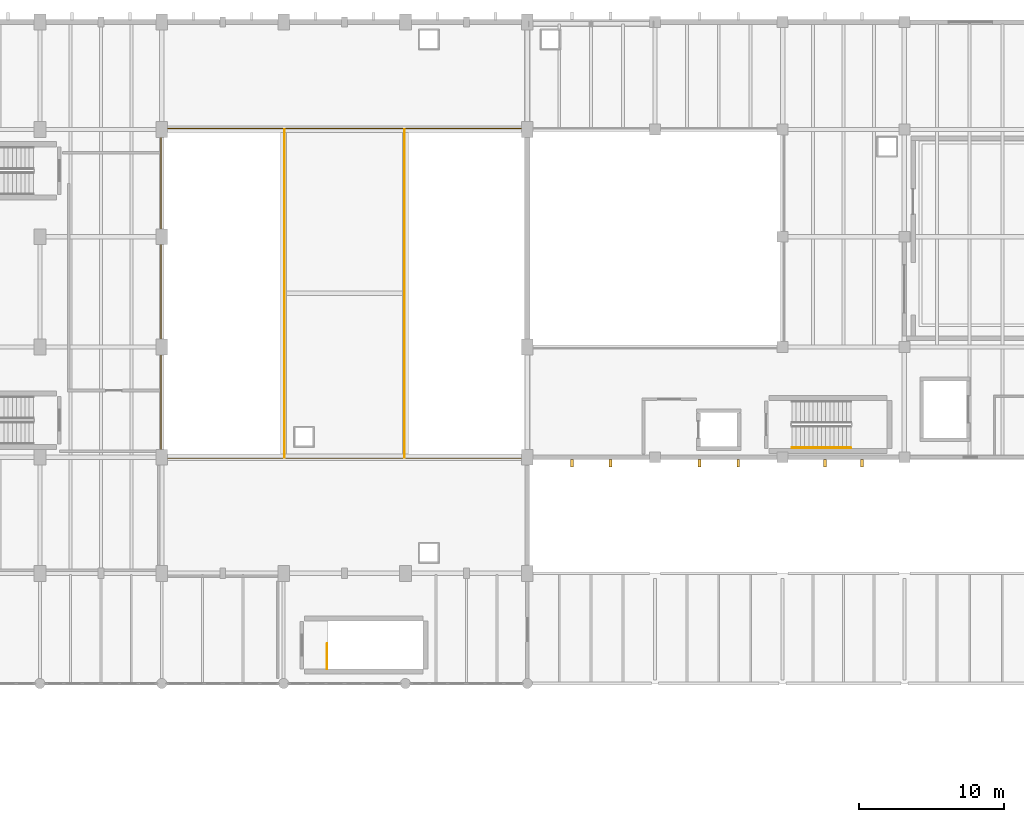
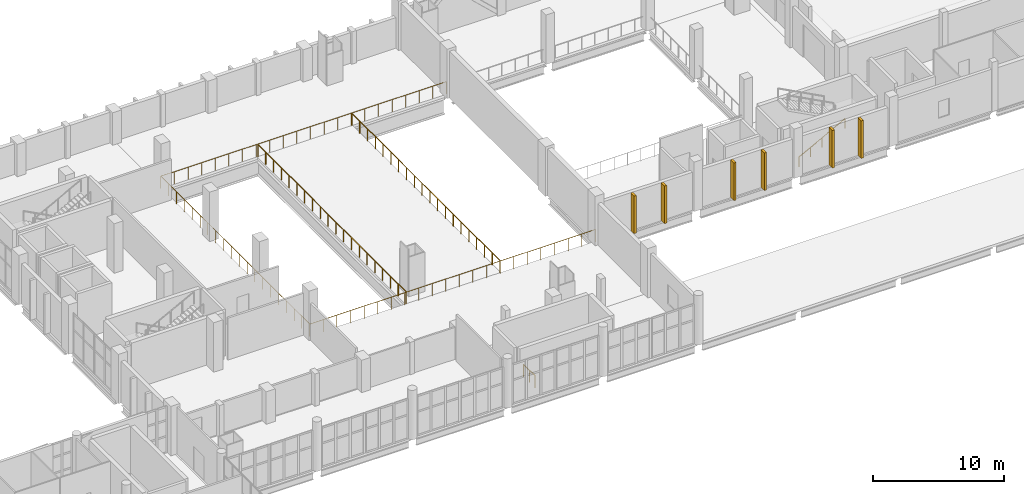
# One storey, part 69 of 74: 6 shading devices, 5 railings.
"""IFC4 building model written with IfcOpenShell, lengths in metres."""

from ifc_helpers import new_model, si_unit, direction, frame, origin, origin_2d, place, context, subcontext, project, spatial, rectangle, circle, extrude, material, layer, layer_set, type_object, element, save


model = new_model("IFC4")

# Units and contexts
model_context = context("Model", 3, precision=1e-05, world=origin(), true_north=direction((0.0, 1.0)))
body_context = subcontext(model_context, "Body", "Model", "MODEL_VIEW")
ifc_project = project(units=[si_unit("LENGTHUNIT", "METRE"), si_unit("AREAUNIT", "SQUARE_METRE"), si_unit("VOLUMEUNIT", "CUBIC_METRE"), si_unit("PLANEANGLEUNIT", "RADIAN"), si_unit("MASSUNIT", "GRAM", prefix="KILO")], contexts=[model_context])

# Site, building, storey
site_placement = place(None, origin())
site = spatial("IfcSite", under=ifc_project, at=site_placement, CompositionType="ELEMENT")
building_placement = place(site_placement, origin())
building = spatial("IfcBuilding", under=site, at=building_placement, Name="Shengluoqiao Park Theatre", CompositionType="ELEMENT")
storey_placement = place(building_placement, frame((0.0, 0.0, 14.60009765625)))
storey = spatial("IfcBuildingStorey", under=building, at=storey_placement, Name="L03", CompositionType="ELEMENT", Elevation=14.60009765625)

# Shading devices
ifc_material_1 = material(Name="Concrete C45", Category="concrete")
ifc_layer = layer(ifc_material_1, 0.199951171875, Name="Concrete C45")
ifc_layer_set = layer_set([ifc_layer], Name="Concrete C45")
shading_device_type = type_object("IfcShadingDeviceType", Name="ENV-FIN-520x200", PredefinedType="USERDEFINED", material=ifc_layer_set)
for number, where, z_axis, x_axis, name in (
    (1, (89.476318359375, 83.60009765625, 0.019775390625), (0.0, 0.0, 1.0), (0.0, -1.0, 0.0), "L03 Vertical Concrete Acoustic Rib 0090"),
    (2, (92.148681640625, 83.60009765625, 0.019775390625), (0.0, 0.0, 1.0), (0.0, -1.0, 0.0), "L03 Vertical Concrete Acoustic Rib 0091"),
    (3, (98.259765625, 83.60009765625, 0.019775390625), (0.0, 0.0, 1.0), (0.0, -1.0, 0.0), "L03 Vertical Concrete Acoustic Rib 0092"),
    (4, (100.940185546875, 83.60009765625, 0.019775390625), (0.0, 0.0, 1.0), (0.0, -1.0, 0.0), "L03 Vertical Concrete Acoustic Rib 0093"),
    (5, (106.92626953125, 83.60009765625, 0.019775390625), (0.0, 0.0, 1.0), (0.0, -1.0, 0.0), "L03 Vertical Concrete Acoustic Rib 0094"),
    (6, (109.4736328125, 83.60009765625, 0.019775390625), (0.0, 0.0, 1.0), (0.0, -1.0, 0.0), "L03 Vertical Concrete Acoustic Rib 0095"),
):
    element("IfcShadingDevice", number, at=place(storey_placement, frame(where, z_axis=z_axis, x_axis=x_axis)), inside=storey, type_object=shading_device_type, Name=name, ObjectType="FIN", PredefinedType="USERDEFINED", context=body_context, shape_type="SweptSolid", body=[
        extrude(rectangle(XDim=0.52001953125, YDim=0.199951171875, at=origin_2d()), origin(), (0.0, 0.0, 1.0), 3.498046875),
    ])

# Railings
ifc_material_2 = material(Name="Steel Q355", Category="steel")
railing_type_1 = type_object("IfcRailingType", Name="INT-RL-FLY115", PredefinedType="GUARDRAIL", material=ifc_material_2)
railing_1_placement = place(storey_placement, frame((86.300048828125, 83.93994140625, 0.0)))
element("IfcRailing", 7, at=railing_1_placement, inside=storey, type_object=railing_type_1, Name="L03 Third Level Auditorium Gallery Guardrail 0023", PredefinedType="GUARDRAIL", context=body_context, shape_type="SweptSolid", body=[
    extrude(circle(Radius=0.02392578125, at=origin_2d()), frame((0.0, 0.0, 1.1259765625), z_axis=(-1.0, 0.0, 0.0), x_axis=(0.0, -1.0, 0.0)), (0.0, 0.0, 1.0), 25.16015625),
    extrude(circle(Radius=0.02392578125, at=origin_2d()), frame((-25.16015625, 0.0, 1.1259765625), z_axis=(0.0, 1.0, 0.0), x_axis=(-1.0, 0.0, 0.0)), (0.0, 0.0, 1.0), 22.719970703125),
    extrude(circle(Radius=0.02392578125, at=origin_2d()), frame((-25.16015625, 22.719970703125, 1.1259765625), z_axis=(1.0, 0.0, 0.0), x_axis=(0.0, 1.0, 0.0)), (0.0, 0.0, 1.0), 25.16015625),
    extrude(circle(Radius=0.02099609375, at=origin_2d()), origin(), (0.0, 0.0, 1.0), 1.101806640625),
    extrude(circle(Radius=0.02099609375, at=origin_2d()), frame((-1.197998046875, 0.0, 0.0)), (0.0, 0.0, 1.0), 1.101806640625),
    extrude(circle(Radius=0.02099609375, at=origin_2d()), frame((-2.396240234375, 0.0, 0.0)), (0.0, 0.0, 1.0), 1.101806640625),
    extrude(circle(Radius=0.02099609375, at=origin_2d()), frame((-3.59423828125, 0.0, 0.0)), (0.0, 0.0, 1.0), 1.101806640625),
    extrude(circle(Radius=0.02099609375, at=origin_2d()), frame((-4.79248046875, 0.0, 0.0)), (0.0, 0.0, 1.0), 1.101806640625),
    extrude(circle(Radius=0.02099609375, at=origin_2d()), frame((-5.990478515625, 0.0, 0.0)), (0.0, 0.0, 1.0), 1.101806640625),
    extrude(circle(Radius=0.02099609375, at=origin_2d()), frame((-7.188720703125, 0.0, 0.0)), (0.0, 0.0, 1.0), 1.101806640625),
    extrude(circle(Radius=0.02099609375, at=origin_2d()), frame((-8.38671875, 0.0, 0.0)), (0.0, 0.0, 1.0), 1.101806640625),
    extrude(circle(Radius=0.02099609375, at=origin_2d()), frame((-9.584716796875, 0.0, 0.0)), (0.0, 0.0, 1.0), 1.101806640625),
    extrude(circle(Radius=0.02099609375, at=origin_2d()), frame((-10.782958984375, 0.0, 0.0)), (0.0, 0.0, 1.0), 1.101806640625),
    extrude(circle(Radius=0.02099609375, at=origin_2d()), frame((-11.98095703125, 0.0, 0.0)), (0.0, 0.0, 1.0), 1.101806640625),
    extrude(circle(Radius=0.02099609375, at=origin_2d()), frame((-13.17919921875, 0.0, 0.0)), (0.0, 0.0, 1.0), 1.101806640625),
    extrude(circle(Radius=0.02099609375, at=origin_2d()), frame((-14.377197265625, 0.0, 0.0)), (0.0, 0.0, 1.0), 1.101806640625),
    extrude(circle(Radius=0.02099609375, at=origin_2d()), frame((-15.575439453125, 0.0, 0.0)), (0.0, 0.0, 1.0), 1.101806640625),
    extrude(circle(Radius=0.02099609375, at=origin_2d()), frame((-16.7734375, 0.0, 0.0)), (0.0, 0.0, 1.0), 1.101806640625),
    extrude(circle(Radius=0.02099609375, at=origin_2d()), frame((-17.971435546875, 0.0, 0.0)), (0.0, 0.0, 1.0), 1.101806640625),
    extrude(circle(Radius=0.02099609375, at=origin_2d()), frame((-19.169677734375, 0.0, 0.0)), (0.0, 0.0, 1.0), 1.101806640625),
    extrude(circle(Radius=0.02099609375, at=origin_2d()), frame((-20.36767578125, 0.0, 0.0)), (0.0, 0.0, 1.0), 1.101806640625),
    extrude(circle(Radius=0.02099609375, at=origin_2d()), frame((-21.56591796875, 0.0, 0.0)), (0.0, 0.0, 1.0), 1.101806640625),
    extrude(circle(Radius=0.02099609375, at=origin_2d()), frame((-22.763916015625, 0.0, 0.0)), (0.0, 0.0, 1.0), 1.101806640625),
    extrude(circle(Radius=0.02099609375, at=origin_2d()), frame((-23.962158203125, 0.0, 0.0)), (0.0, 0.0, 1.0), 1.101806640625),
    extrude(circle(Radius=0.02099609375, at=origin_2d()), frame((-25.16015625, 0.0, 0.0)), (0.0, 0.0, 1.0), 1.101806640625),
    extrude(circle(Radius=0.02099609375, at=origin_2d()), frame((-25.16015625, 1.19580078125, 0.0)), (0.0, 0.0, 1.0), 1.101806640625),
    extrude(circle(Radius=0.02099609375, at=origin_2d()), frame((-25.16015625, 2.3916015625, 0.0)), (0.0, 0.0, 1.0), 1.101806640625),
    extrude(circle(Radius=0.02099609375, at=origin_2d()), frame((-25.16015625, 3.58740234375, 0.0)), (0.0, 0.0, 1.0), 1.101806640625),
    extrude(circle(Radius=0.02099609375, at=origin_2d()), frame((-25.16015625, 4.783203125, 0.0)), (0.0, 0.0, 1.0), 1.101806640625),
    extrude(circle(Radius=0.02099609375, at=origin_2d()), frame((-25.16015625, 5.97900390625, 0.0)), (0.0, 0.0, 1.0), 1.101806640625),
    extrude(circle(Radius=0.02099609375, at=origin_2d()), frame((-25.16015625, 7.1748046875, 0.0)), (0.0, 0.0, 1.0), 1.101806640625),
    extrude(circle(Radius=0.02099609375, at=origin_2d()), frame((-25.16015625, 8.37060546875, 0.0)), (0.0, 0.0, 1.0), 1.101806640625),
    extrude(circle(Radius=0.02099609375, at=origin_2d()), frame((-25.16015625, 9.56640625, 0.0)), (0.0, 0.0, 1.0), 1.101806640625),
    extrude(circle(Radius=0.02099609375, at=origin_2d()), frame((-25.16015625, 10.76220703125, 0.0)), (0.0, 0.0, 1.0), 1.101806640625),
    extrude(circle(Radius=0.02099609375, at=origin_2d()), frame((-25.16015625, 11.957763671875, 0.0)), (0.0, 0.0, 1.0), 1.101806640625),
    extrude(circle(Radius=0.02099609375, at=origin_2d()), frame((-25.16015625, 13.153564453125, 0.0)), (0.0, 0.0, 1.0), 1.101806640625),
    extrude(circle(Radius=0.02099609375, at=origin_2d()), frame((-25.16015625, 14.349365234375, 0.0)), (0.0, 0.0, 1.0), 1.101806640625),
    extrude(circle(Radius=0.02099609375, at=origin_2d()), frame((-25.16015625, 15.545166015625, 0.0)), (0.0, 0.0, 1.0), 1.101806640625),
    extrude(circle(Radius=0.02099609375, at=origin_2d()), frame((-25.16015625, 16.740966796875, 0.0)), (0.0, 0.0, 1.0), 1.101806640625),
    extrude(circle(Radius=0.02099609375, at=origin_2d()), frame((-25.16015625, 17.936767578125, 0.0)), (0.0, 0.0, 1.0), 1.101806640625),
    extrude(circle(Radius=0.02099609375, at=origin_2d()), frame((-25.16015625, 19.132568359375, 0.0)), (0.0, 0.0, 1.0), 1.101806640625),
    extrude(circle(Radius=0.02099609375, at=origin_2d()), frame((-25.16015625, 20.328369140625, 0.0)), (0.0, 0.0, 1.0), 1.101806640625),
    extrude(circle(Radius=0.02099609375, at=origin_2d()), frame((-25.16015625, 21.524169921875, 0.0)), (0.0, 0.0, 1.0), 1.101806640625),
    extrude(circle(Radius=0.02099609375, at=origin_2d()), frame((-25.16015625, 22.719970703125, 0.0)), (0.0, 0.0, 1.0), 1.101806640625),
    extrude(circle(Radius=0.02099609375, at=origin_2d()), frame((-23.962158203125, 22.719970703125, 0.0)), (0.0, 0.0, 1.0), 1.101806640625),
    extrude(circle(Radius=0.02099609375, at=origin_2d()), frame((-22.763916015625, 22.719970703125, 0.0)), (0.0, 0.0, 1.0), 1.101806640625),
    extrude(circle(Radius=0.02099609375, at=origin_2d()), frame((-21.56591796875, 22.719970703125, 0.0)), (0.0, 0.0, 1.0), 1.101806640625),
    extrude(circle(Radius=0.02099609375, at=origin_2d()), frame((-20.36767578125, 22.719970703125, 0.0)), (0.0, 0.0, 1.0), 1.101806640625),
    extrude(circle(Radius=0.02099609375, at=origin_2d()), frame((-19.169677734375, 22.719970703125, 0.0)), (0.0, 0.0, 1.0), 1.101806640625),
    extrude(circle(Radius=0.02099609375, at=origin_2d()), frame((-17.971435546875, 22.719970703125, 0.0)), (0.0, 0.0, 1.0), 1.101806640625),
    extrude(circle(Radius=0.02099609375, at=origin_2d()), frame((-16.7734375, 22.719970703125, 0.0)), (0.0, 0.0, 1.0), 1.101806640625),
    extrude(circle(Radius=0.02099609375, at=origin_2d()), frame((-15.575439453125, 22.719970703125, 0.0)), (0.0, 0.0, 1.0), 1.101806640625),
    extrude(circle(Radius=0.02099609375, at=origin_2d()), frame((-14.377197265625, 22.719970703125, 0.0)), (0.0, 0.0, 1.0), 1.101806640625),
    extrude(circle(Radius=0.02099609375, at=origin_2d()), frame((-13.17919921875, 22.719970703125, 0.0)), (0.0, 0.0, 1.0), 1.101806640625),
    extrude(circle(Radius=0.02099609375, at=origin_2d()), frame((-11.98095703125, 22.719970703125, 0.0)), (0.0, 0.0, 1.0), 1.101806640625),
    extrude(circle(Radius=0.02099609375, at=origin_2d()), frame((-10.782958984375, 22.719970703125, 0.0)), (0.0, 0.0, 1.0), 1.101806640625),
    extrude(circle(Radius=0.02099609375, at=origin_2d()), frame((-9.584716796875, 22.719970703125, 0.0)), (0.0, 0.0, 1.0), 1.101806640625),
    extrude(circle(Radius=0.02099609375, at=origin_2d()), frame((-8.38671875, 22.719970703125, 0.0)), (0.0, 0.0, 1.0), 1.101806640625),
    extrude(circle(Radius=0.02099609375, at=origin_2d()), frame((-7.188720703125, 22.719970703125, 0.0)), (0.0, 0.0, 1.0), 1.101806640625),
    extrude(circle(Radius=0.02099609375, at=origin_2d()), frame((-5.990478515625, 22.719970703125, 0.0)), (0.0, 0.0, 1.0), 1.101806640625),
    extrude(circle(Radius=0.02099609375, at=origin_2d()), frame((-4.79248046875, 22.719970703125, 0.0)), (0.0, 0.0, 1.0), 1.101806640625),
    extrude(circle(Radius=0.02099609375, at=origin_2d()), frame((-3.59423828125, 22.719970703125, 0.0)), (0.0, 0.0, 1.0), 1.101806640625),
    extrude(circle(Radius=0.02099609375, at=origin_2d()), frame((-2.396240234375, 22.719970703125, 0.0)), (0.0, 0.0, 1.0), 1.101806640625),
    extrude(circle(Radius=0.02099609375, at=origin_2d()), frame((-1.197998046875, 22.719970703125, 0.0)), (0.0, 0.0, 1.0), 1.101806640625),
    extrude(circle(Radius=0.02099609375, at=origin_2d()), frame((0.0, 22.719970703125, 0.0)), (0.0, 0.0, 1.0), 1.101806640625),
])
railing_2_placement = place(storey_placement, frame((69.659912109375, 84.0, 0.0)))
element("IfcRailing", 8, at=railing_2_placement, inside=storey, type_object=railing_type_1, Name="L03 Lighting Bridge West Guardrail 0024", PredefinedType="GUARDRAIL", context=body_context, shape_type="SweptSolid", body=[
    extrude(circle(Radius=0.02392578125, at=origin_2d()), frame((0.0, 0.0, 1.1259765625), z_axis=(0.0, 1.0, 0.0), x_axis=(-1.0, 0.0, 0.0)), (0.0, 0.0, 1.0), 22.60009765625),
    extrude(circle(Radius=0.02099609375, at=origin_2d()), origin(), (0.0, 0.0, 1.0), 1.101806640625),
    extrude(circle(Radius=0.02099609375, at=origin_2d()), frame((0.0, 1.189453125, 0.0)), (0.0, 0.0, 1.0), 1.101806640625),
    extrude(circle(Radius=0.02099609375, at=origin_2d()), frame((0.0, 2.37890625, 0.0)), (0.0, 0.0, 1.0), 1.101806640625),
    extrude(circle(Radius=0.02099609375, at=origin_2d()), frame((0.0, 3.568359375, 0.0)), (0.0, 0.0, 1.0), 1.101806640625),
    extrude(circle(Radius=0.02099609375, at=origin_2d()), frame((0.0, 4.7578125, 0.0)), (0.0, 0.0, 1.0), 1.101806640625),
    extrude(circle(Radius=0.02099609375, at=origin_2d()), frame((0.0, 5.947509765625, 0.0)), (0.0, 0.0, 1.0), 1.101806640625),
    extrude(circle(Radius=0.02099609375, at=origin_2d()), frame((0.0, 7.136962890625, 0.0)), (0.0, 0.0, 1.0), 1.101806640625),
    extrude(circle(Radius=0.02099609375, at=origin_2d()), frame((0.0, 8.326416015625, 0.0)), (0.0, 0.0, 1.0), 1.101806640625),
    extrude(circle(Radius=0.02099609375, at=origin_2d()), frame((0.0, 9.515869140625, 0.0)), (0.0, 0.0, 1.0), 1.101806640625),
    extrude(circle(Radius=0.02099609375, at=origin_2d()), frame((0.0, 10.705322265625, 0.0)), (0.0, 0.0, 1.0), 1.101806640625),
    extrude(circle(Radius=0.02099609375, at=origin_2d()), frame((0.0, 11.894775390625, 0.0)), (0.0, 0.0, 1.0), 1.101806640625),
    extrude(circle(Radius=0.02099609375, at=origin_2d()), frame((0.0, 13.084228515625, 0.0)), (0.0, 0.0, 1.0), 1.101806640625),
    extrude(circle(Radius=0.02099609375, at=origin_2d()), frame((0.0, 14.273681640625, 0.0)), (0.0, 0.0, 1.0), 1.101806640625),
    extrude(circle(Radius=0.02099609375, at=origin_2d()), frame((0.0, 15.463134765625, 0.0)), (0.0, 0.0, 1.0), 1.101806640625),
    extrude(circle(Radius=0.02099609375, at=origin_2d()), frame((0.0, 16.652587890625, 0.0)), (0.0, 0.0, 1.0), 1.101806640625),
    extrude(circle(Radius=0.02099609375, at=origin_2d()), frame((0.0, 17.84228515625, 0.0)), (0.0, 0.0, 1.0), 1.101806640625),
    extrude(circle(Radius=0.02099609375, at=origin_2d()), frame((0.0, 19.03173828125, 0.0)), (0.0, 0.0, 1.0), 1.101806640625),
    extrude(circle(Radius=0.02099609375, at=origin_2d()), frame((0.0, 20.22119140625, 0.0)), (0.0, 0.0, 1.0), 1.101806640625),
    extrude(circle(Radius=0.02099609375, at=origin_2d()), frame((0.0, 21.41064453125, 0.0)), (0.0, 0.0, 1.0), 1.101806640625),
    extrude(circle(Radius=0.02099609375, at=origin_2d()), frame((0.0, 22.60009765625, 0.0)), (0.0, 0.0, 1.0), 1.101806640625),
])
railing_3_placement = place(storey_placement, frame((77.93994140625, 84.0, 0.0)))
element("IfcRailing", 9, at=railing_3_placement, inside=storey, type_object=railing_type_1, Name="L03 Lighting Bridge East Guardrail 0025", PredefinedType="GUARDRAIL", context=body_context, shape_type="SweptSolid", body=[
    extrude(circle(Radius=0.02392578125, at=origin_2d()), frame((0.0, 0.0, 1.1259765625), z_axis=(0.0, 1.0, 0.0), x_axis=(-1.0, 0.0, 0.0)), (0.0, 0.0, 1.0), 22.60009765625),
    extrude(circle(Radius=0.02099609375, at=origin_2d()), origin(), (0.0, 0.0, 1.0), 1.101806640625),
    extrude(circle(Radius=0.02099609375, at=origin_2d()), frame((0.0, 1.189453125, 0.0)), (0.0, 0.0, 1.0), 1.101806640625),
    extrude(circle(Radius=0.02099609375, at=origin_2d()), frame((0.0, 2.37890625, 0.0)), (0.0, 0.0, 1.0), 1.101806640625),
    extrude(circle(Radius=0.02099609375, at=origin_2d()), frame((0.0, 3.568359375, 0.0)), (0.0, 0.0, 1.0), 1.101806640625),
    extrude(circle(Radius=0.02099609375, at=origin_2d()), frame((0.0, 4.7578125, 0.0)), (0.0, 0.0, 1.0), 1.101806640625),
    extrude(circle(Radius=0.02099609375, at=origin_2d()), frame((0.0, 5.947509765625, 0.0)), (0.0, 0.0, 1.0), 1.101806640625),
    extrude(circle(Radius=0.02099609375, at=origin_2d()), frame((0.0, 7.136962890625, 0.0)), (0.0, 0.0, 1.0), 1.101806640625),
    extrude(circle(Radius=0.02099609375, at=origin_2d()), frame((0.0, 8.326416015625, 0.0)), (0.0, 0.0, 1.0), 1.101806640625),
    extrude(circle(Radius=0.02099609375, at=origin_2d()), frame((0.0, 9.515869140625, 0.0)), (0.0, 0.0, 1.0), 1.101806640625),
    extrude(circle(Radius=0.02099609375, at=origin_2d()), frame((0.0, 10.705322265625, 0.0)), (0.0, 0.0, 1.0), 1.101806640625),
    extrude(circle(Radius=0.02099609375, at=origin_2d()), frame((0.0, 11.894775390625, 0.0)), (0.0, 0.0, 1.0), 1.101806640625),
    extrude(circle(Radius=0.02099609375, at=origin_2d()), frame((0.0, 13.084228515625, 0.0)), (0.0, 0.0, 1.0), 1.101806640625),
    extrude(circle(Radius=0.02099609375, at=origin_2d()), frame((0.0, 14.273681640625, 0.0)), (0.0, 0.0, 1.0), 1.101806640625),
    extrude(circle(Radius=0.02099609375, at=origin_2d()), frame((0.0, 15.463134765625, 0.0)), (0.0, 0.0, 1.0), 1.101806640625),
    extrude(circle(Radius=0.02099609375, at=origin_2d()), frame((0.0, 16.652587890625, 0.0)), (0.0, 0.0, 1.0), 1.101806640625),
    extrude(circle(Radius=0.02099609375, at=origin_2d()), frame((0.0, 17.84228515625, 0.0)), (0.0, 0.0, 1.0), 1.101806640625),
    extrude(circle(Radius=0.02099609375, at=origin_2d()), frame((0.0, 19.03173828125, 0.0)), (0.0, 0.0, 1.0), 1.101806640625),
    extrude(circle(Radius=0.02099609375, at=origin_2d()), frame((0.0, 20.22119140625, 0.0)), (0.0, 0.0, 1.0), 1.101806640625),
    extrude(circle(Radius=0.02099609375, at=origin_2d()), frame((0.0, 21.41064453125, 0.0)), (0.0, 0.0, 1.0), 1.101806640625),
    extrude(circle(Radius=0.02099609375, at=origin_2d()), frame((0.0, 22.60009765625, 0.0)), (0.0, 0.0, 1.0), 1.101806640625),
])
ifc_material_3 = material(Name="Painted steel", Category="steel")
railing_type_2 = type_object("IfcRailingType", Name="INT-RL-STGRD", PredefinedType="GUARDRAIL", material=ifc_material_3)
railing_4_placement = place(storey_placement, frame((72.60009765625, 69.39990234375, 0.0)))
element("IfcRailing", 10, at=railing_4_placement, inside=storey, type_object=railing_type_2, Name="L03 ST-11 top well guard 1", PredefinedType="GUARDRAIL", context=body_context, shape_type="SweptSolid", body=[
    extrude(circle(Radius=0.02392578125, at=origin_2d()), frame((0.0, 0.0, 1.1259765625), z_axis=(0.0, 1.0, 0.0), x_axis=(-1.0, 0.0, 0.0)), (0.0, 0.0, 1.0), 1.739990234375),
    extrude(circle(Radius=0.02099609375, at=origin_2d()), origin(), (0.0, 0.0, 1.0), 1.101806640625),
    extrude(circle(Radius=0.02099609375, at=origin_2d()), frame((0.0, 0.8701171875, 0.0)), (0.0, 0.0, 1.0), 1.101806640625),
    extrude(circle(Radius=0.02099609375, at=origin_2d()), frame((0.0, 1.739990234375, 0.0)), (0.0, 0.0, 1.0), 1.101806640625),
])
ifc_material_4 = material(Name="Stainless steel 304", Category="steel")
railing_type_3 = type_object("IfcRailingType", Name="INT-RL-STHR", PredefinedType="HANDRAIL", material=ifc_material_4)
railing_5_placement = place(storey_placement, frame((104.64990234375, 84.64990234375, 0.1533203125)))
element("IfcRailing", 11, at=railing_5_placement, inside=storey, type_object=railing_type_3, Name="L03 ST-05 stair handrail 1", PredefinedType="HANDRAIL", context=body_context, shape_type="SweptSolid", body=[
    extrude(circle(Radius=0.02392578125, at=origin_2d()), frame((0.0, 0.0, 0.8759765625), z_axis=(0.884054148832, 0.0, 0.467384490471), x_axis=(0.0, 1.0, 0.0)), (0.0, 0.0, 1.0), 4.592529296875),
    extrude(circle(Radius=0.02099609375, at=origin_2d()), origin(), (0.0, 0.0, 1.0), 0.851806640625),
    extrude(circle(Radius=0.02099609375, at=origin_2d()), frame((1.01513671875, 0.0, 0.53662109375)), (0.0, 0.0, 1.0), 0.851806640625),
    extrude(circle(Radius=0.02099609375, at=origin_2d()), frame((2.030029296875, 0.0, 1.0732421875)), (0.0, 0.0, 1.0), 0.851806640625),
    extrude(circle(Radius=0.02099609375, at=origin_2d()), frame((3.044921875, 0.0, 1.60986328125)), (0.0, 0.0, 1.0), 0.851806640625),
    extrude(circle(Radius=0.02099609375, at=origin_2d()), frame((4.06005859375, 0.0, 2.146484375)), (0.0, 0.0, 1.0), 0.851806640625),
])

save(model, "model.ifc")
